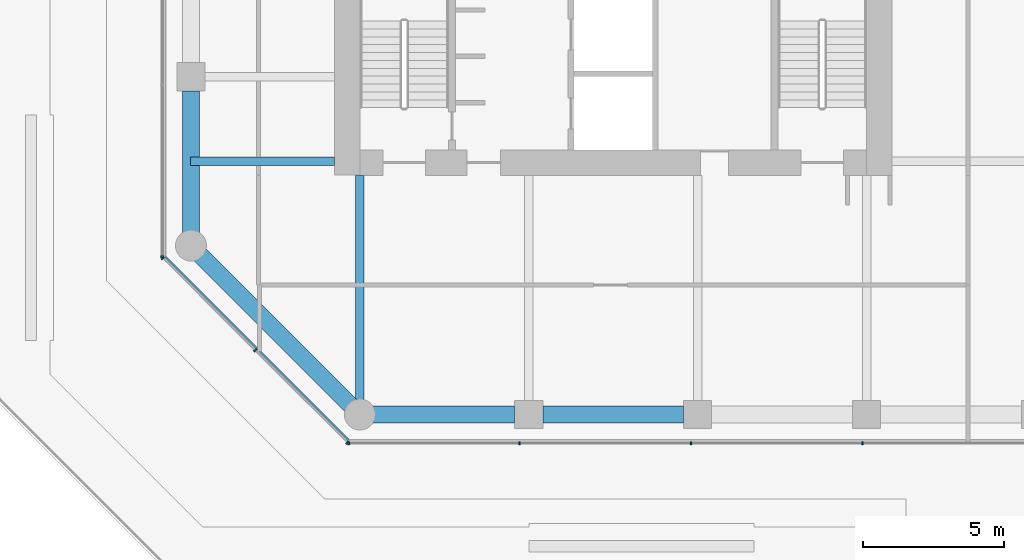
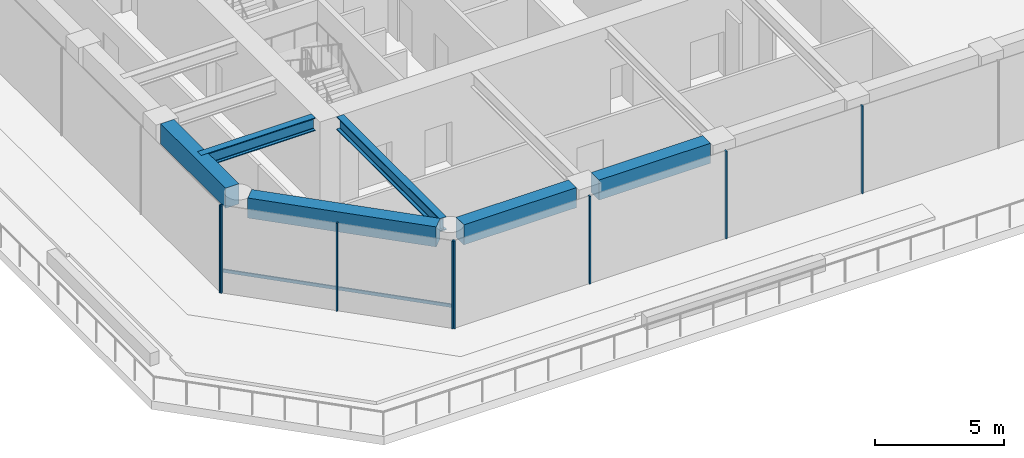
# One storey, part 2 of 31: 9 members, 6 beams, 3 elements without a shape of their own.
"""IFC4 building model written with IfcOpenShell, lengths in metres."""

import ifcopenshell
import ifcopenshell.guid

model = None  # the IFC model being written
_history = None  # IfcOwnerHistory: only IFC2X3 demands one
_inside = {}  # id of a spatial element -> (the spatial element, [elements in it])
_under = {}  # id of a project, library or spatial element -> (it, [spatial elements below it])
_declared = {}  # id of a project -> (the project, [libraries it declares])
_typed = {}  # id of a type object -> (the type object, [elements of that type])
_made_of = {}  # id of a material, layer set ... -> (it, [elements and type objects made of it])


def new_model(schema):
    """Start an empty IFC model of exactly this schema.

    Asked for "IFC4X3", IfcOpenShell would pick the latest addendum, in which some entities
    have other attributes; the version numbers below select the first issue.
    IFC2X3 requires an IfcOwnerHistory on every rooted entity: one is made here for all.
    """
    global model, _history
    if schema == "IFC4X3":
        model = ifcopenshell.file(schema_version=(4, 3, 0, 0))
    else:
        model = ifcopenshell.file(schema=schema)
    _inside.clear()
    _under.clear()
    _declared.clear()
    _typed.clear()
    _made_of.clear()
    _history = None
    if model.schema == "IFC2X3":
        org = make("IfcOrganization", Name="unknown")
        user = make(
            "IfcPersonAndOrganization",
            ThePerson=make("IfcPerson", FamilyName="unknown"),
            TheOrganization=org,
        )
        app = make(
            "IfcApplication",
            ApplicationDeveloper=org,
            Version="unknown",
            ApplicationFullName="unknown",
            ApplicationIdentifier="unknown",
        )
        _history = make(
            "IfcOwnerHistory",
            OwningUser=user,
            OwningApplication=app,
            ChangeAction="ADDED",
            CreationDate=0,
        )
    return model


def make(cls, **values):
    """One entity of the class cls with the attributes given. An attribute that is None is left unset."""
    return model.create_entity(
        cls, **{name: value for name, value in values.items() if value is not None}
    )


def rooted(cls, **values):
    """An entity with a GlobalId (a new one), such as an element, a storey or a relation."""
    return make(cls, GlobalId=ifcopenshell.guid.new(), OwnerHistory=_history, **values)


def si_unit(unit_type, name, prefix=None):
    """IfcSIUnit, for example si_unit("LENGTHUNIT", "METRE", prefix="MILLI")."""
    return make("IfcSIUnit", UnitType=unit_type, Prefix=prefix, Name=name)


def assignment(units):
    """IfcUnitAssignment: the units of a project."""
    return None if units is None else make("IfcUnitAssignment", Units=units)


def point(xyz):
    """IfcCartesianPoint."""
    return None if xyz is None else make("IfcCartesianPoint", Coordinates=xyz)


def direction(xyz):
    """IfcDirection."""
    return None if xyz is None else make("IfcDirection", DirectionRatios=xyz)


def frame(location, z_axis=None, x_axis=None):
    """IfcAxis2Placement3D, a coordinate frame: its origin and axes. An axis left out is left unset."""
    return make(
        "IfcAxis2Placement3D",
        Location=point(location),
        Axis=direction(z_axis),
        RefDirection=direction(x_axis),
    )


def frame_2d(location, x_axis=None):
    """IfcAxis2Placement2D, a coordinate frame in the plane: its origin and x axis."""
    return make(
        "IfcAxis2Placement2D", Location=point(location), RefDirection=direction(x_axis)
    )


def origin():
    """The frame at (0, 0, 0) with its axes left unset."""
    return frame((0.0, 0.0, 0.0))


def origin_2d():
    """The frame at (0, 0) in the plane with its x axis left unset."""
    return frame_2d((0.0, 0.0))


def place(relative_to, where):
    """IfcLocalPlacement: puts the frame where relative to a parent placement (None: the world)."""
    return make(
        "IfcLocalPlacement", PlacementRelTo=relative_to, RelativePlacement=where
    )


def context(
    kind, dimensions, precision=None, world=None, true_north=None, identifier=None
):
    """IfcGeometricRepresentationContext, for example the 3D "Model" context."""
    return make(
        "IfcGeometricRepresentationContext",
        ContextIdentifier=identifier,
        ContextType=kind,
        CoordinateSpaceDimension=dimensions,
        Precision=precision,
        WorldCoordinateSystem=world,
        TrueNorth=true_north,
    )


def subcontext(parent, identifier, kind, view, scale=None):
    """IfcGeometricRepresentationSubContext, for example "Body" below "Model"."""
    return make(
        "IfcGeometricRepresentationSubContext",
        ContextIdentifier=identifier,
        ContextType=kind,
        ParentContext=parent,
        TargetScale=scale,
        TargetView=view,
    )


def project(units=None, contexts=None):
    """IfcProject with its units and contexts."""
    return rooted(
        "IfcProject",
        Name="project",
        RepresentationContexts=contexts,
        UnitsInContext=assignment(units),
    )


def spatial(cls, under=None, at=None, **own):
    """A site, building, storey or space (cls), placed at a placement, below another one or the project."""
    s = rooted(cls, ObjectPlacement=at, **own)
    if under is not None:
        _under.setdefault(under.id(), (under, []))[1].append(s)
    return s


def profile(cls, at=None, kind="AREA", **sizes):
    """A parametric profile (cls). Its sizes go by their IFC names, for example OverallWidth=200.0."""
    return make(cls, ProfileType=kind, Position=at, **sizes)


def rectangle(**sizes):
    """IfcRectangleProfileDef."""
    return profile("IfcRectangleProfileDef", **sizes)


def i_section(**sizes):
    """IfcIShapeProfileDef."""
    return profile("IfcIShapeProfileDef", **sizes)


def extrude(swept, where, along, depth):
    """IfcExtrudedAreaSolid: the profile swept, set in the frame where, extruded along a direction by depth."""
    return make(
        "IfcExtrudedAreaSolid",
        SweptArea=swept,
        Position=where,
        ExtrudedDirection=direction(along),
        Depth=depth,
    )


def shape(context_of_items, identifier, shape_type, items):
    """IfcShapeRepresentation: the items that make up one representation, for example the "Body"."""
    return make(
        "IfcShapeRepresentation",
        ContextOfItems=context_of_items,
        RepresentationIdentifier=identifier,
        RepresentationType=shape_type,
        Items=items,
    )


def material(Name=None, Category=None):
    """IfcMaterial."""
    return make("IfcMaterial", Name=Name, Category=Category)


def layer(
    of_material, thickness, ventilated=None, Name=None, Category=None, Priority=None
):
    """IfcMaterialLayer: one layer of a wall or slab, of a material (None: an air gap)."""
    return make(
        "IfcMaterialLayer",
        Material=of_material,
        LayerThickness=thickness,
        IsVentilated=ventilated,
        Name=Name,
        Category=Category,
        Priority=Priority,
    )


def layer_set(layers, Name=None):
    """IfcMaterialLayerSet."""
    return make("IfcMaterialLayerSet", MaterialLayers=layers, LayerSetName=Name)


def material_profile(
    of_material, cross_section, Name=None, Category=None, Priority=None
):
    """IfcMaterialProfile: a cross section and its material."""
    return make(
        "IfcMaterialProfile",
        Name=Name,
        Material=of_material,
        Profile=cross_section,
        Priority=Priority,
        Category=Category,
    )


def profile_set(profiles, Name=None, composite=None):
    """IfcMaterialProfileSet."""
    return make(
        "IfcMaterialProfileSet",
        Name=Name,
        MaterialProfiles=profiles,
        CompositeProfile=composite,
    )


def made_of(thing, what):
    """Note that an element or type object is made of a material, layer set ...; save() writes the relation."""
    if what is not None:
        _made_of.setdefault(what.id(), (what, []))[1].append(thing)
    return thing


def type_object(cls, material=None, **own):
    """A type object (cls), such as IfcWallType, which elements share."""
    return made_of(rooted(cls, **own), material)


def element(
    cls,
    number,
    at=None,
    inside=None,
    cuts=None,
    type_object=None,
    material=None,
    context=None,
    identifier="Body",
    shape_type=None,
    held_by="IfcProductDefinitionShape",
    body=None,
    shapes=None,
    **own,
):
    """One element of the class cls, such as IfcWall. Its Tag is "e" and its number.

    at: its placement. inside: the storey or other place that contains it. cuts: it is an
    opening in that element (IfcRelVoidsElement). A single representation is given by context,
    identifier, shape_type and body (its items); several are given by shapes. held_by: the class
    of the entity that holds the representations. save() writes the other relations.
    """
    e = rooted(cls, Tag="e%d" % number, ObjectPlacement=at, **own)
    if body is not None:
        shapes = [shape(context, identifier, shape_type, body)]
    if shapes is not None:
        e.Representation = make(held_by, Representations=shapes)
    if inside is not None:
        _inside.setdefault(inside.id(), (inside, []))[1].append(e)
    if cuts is not None:
        rooted(
            "IfcRelVoidsElement", RelatingBuildingElement=cuts, RelatedOpeningElement=e
        )
    if type_object is not None:
        _typed.setdefault(type_object.id(), (type_object, []))[1].append(e)
    return made_of(e, material)


def aggregate(whole, parts):
    """IfcRelAggregates: a whole, such as a stair, and the parts it consists of."""
    return rooted("IfcRelAggregates", RelatingObject=whole, RelatedObjects=parts)


def save(model, path):
    """Write the relations noted so far, then the file.

    IfcRelAggregates (storeys below a building ...), IfcRelContainedInSpatialStructure (elements
    in a storey), IfcRelDefinesByType, IfcRelAssociatesMaterial and IfcRelDeclares: one each for
    every whole, place, type object, material and project.
    """
    for whole, parts in _under.values():
        aggregate(whole, parts)
    for where, things in _inside.values():
        rooted(
            "IfcRelContainedInSpatialStructure",
            RelatedElements=things,
            RelatingStructure=where,
        )
    for kind, things in _typed.values():
        rooted("IfcRelDefinesByType", RelatedObjects=things, RelatingType=kind)
    for what, things in _made_of.values():
        rooted("IfcRelAssociatesMaterial", RelatedObjects=things, RelatingMaterial=what)
    for by, libraries in _declared.values():
        rooted("IfcRelDeclares", RelatingContext=by, RelatedDefinitions=libraries)
    model.write(path)


model = new_model("IFC4")

# Units and contexts
model_context = context("Model", 3, precision=1e-05, world=origin(), true_north=direction((0.0, 1.0)))
body_context = subcontext(model_context, "Body", "Model", "MODEL_VIEW")
ifc_project = project(units=[si_unit("LENGTHUNIT", "METRE"), si_unit("AREAUNIT", "SQUARE_METRE"), si_unit("VOLUMEUNIT", "CUBIC_METRE"), si_unit("PLANEANGLEUNIT", "RADIAN"), si_unit("MASSUNIT", "GRAM", prefix="KILO")], contexts=[model_context])

# Site, building, storey
site_placement = place(None, origin())
site = spatial("IfcSite", under=ifc_project, at=site_placement, CompositionType="ELEMENT")
building_placement = place(site_placement, origin())
building = spatial("IfcBuilding", under=site, at=building_placement, Name="Welwitschia Terrace Campus", CompositionType="ELEMENT")
storey_placement = place(building_placement, frame((0.0, 0.0, 11.0)))
storey = spatial("IfcBuildingStorey", under=building, at=storey_placement, Name="L02", CompositionType="ELEMENT", Elevation=11.0)

# Beams
ifc_material_1 = material(Name="Steel S355", Category="steel")
ifc_material_profile_1 = material_profile(ifc_material_1, i_section(OverallWidth=0.304931640625, OverallDepth=0.6201171875, WebThickness=0.02099609375, FlangeThickness=0.0400390625, FilletRadius=0.027099609375, at=origin_2d()))
ifc_profile_set_1 = profile_set([ifc_material_profile_1], Name="Steel S355")
beam_type_1 = type_object("IfcBeamType", Name="Interior girder HE 600 M", PredefinedType="BEAM", material=ifc_profile_set_1)
beam_1_placement = place(storey_placement, frame((-0.010009765625, 5.0, 3.840087890625), z_axis=(1.0, 0.0, 0.0), x_axis=(0.0, 1.0, 0.0)))
element("IfcBeam", 1, at=beam_1_placement, inside=storey, type_object=beam_type_1, Name="Girder GB1", PredefinedType="BEAM", context=body_context, shape_type="SweptSolid", body=[
    extrude(i_section(OverallWidth=0.304931640625, OverallDepth=0.6201171875, WebThickness=0.02099609375, FlangeThickness=0.0400390625, FilletRadius=0.027099609375, at=origin_2d()), origin(), (0.0, 0.0, 1.0), 5.109130859375),
])
beam_2_placement = place(storey_placement, frame((6.0, -3.48095703125, 3.840087890625), z_axis=(0.0, 1.0, 0.0), x_axis=(-1.0, 0.0, 0.0)))
element("IfcBeam", 2, at=beam_2_placement, inside=storey, type_object=beam_type_1, Name="Girder GB1", PredefinedType="BEAM", context=body_context, shape_type="SweptSolid", body=[
    extrude(i_section(OverallWidth=0.304931640625, OverallDepth=0.6201171875, WebThickness=0.02099609375, FlangeThickness=0.0400390625, FilletRadius=0.027099609375, at=origin_2d()), origin(), (0.0, 0.0, 1.0), 7.97998046875),
])

# Curtain wall, members
ifc_material_2 = material(Name="Bronze anodised aluminium", Category="aluminium")
ifc_layer = layer(ifc_material_2, 0.1201171875)
ifc_layer_set = layer_set([ifc_layer], Name="Bronze anodised aluminium")
curtain_wall_type = type_object("IfcCurtainWallType", Name="Curtain wall CW2 tower 6000", PredefinedType="NOTDEFINED", material=ifc_layer_set)
curtain_wall_1_placement = place(storey_placement, origin())
curtain_wall_1 = element("IfcCurtainWall", 3, at=curtain_wall_1_placement, inside=storey, type_object=curtain_wall_type, Name="CW L02.0.0", PredefinedType="NOTDEFINED")
ifc_material_3 = material(Name="Bronze anodised aluminium", Category="aluminium")
ifc_material_profile_2 = material_profile(ifc_material_3, rectangle(XDim=0.1201171875, YDim=0.06005859375, at=origin_2d()))
ifc_profile_set_2 = profile_set([ifc_material_profile_2], Name="Bronze anodised aluminium")
member_type_1 = type_object("IfcMemberType", Name="Mullion 60x120", PredefinedType="MULLION", material=ifc_profile_set_2)
member_1_placement = place(storey_placement, frame((-0.998779296875, 1.556396484375, 0.0), z_axis=(0.0, 0.0, 1.0), x_axis=(0.707106781187, 0.707106781187, 0.0)))
member_1 = element("IfcMember", 4, at=member_1_placement, type_object=member_type_1, Name="Mullion L02.0.0.0", PredefinedType="MULLION", context=body_context, shape_type="SweptSolid", body=[
    extrude(rectangle(XDim=0.1201171875, YDim=0.06005859375, at=origin_2d()), origin(), (0.0, 0.0, 1.0), 4.14990234375),
])
member_2_placement = place(storey_placement, frame((2.27880859375, -1.72119140625, 0.0), z_axis=(0.0, 0.0, 1.0), x_axis=(0.707106781187, 0.707106781187, 0.0)))
member_2 = element("IfcMember", 5, at=member_2_placement, type_object=member_type_1, Name="Mullion L02.0.0.1", PredefinedType="MULLION", context=body_context, shape_type="SweptSolid", body=[
    extrude(rectangle(XDim=0.1201171875, YDim=0.06005859375, at=origin_2d()), origin(), (0.0, 0.0, 1.0), 4.14990234375),
])
member_3_placement = place(storey_placement, frame((5.556396484375, -4.998779296875, 0.0), z_axis=(0.0, 0.0, 1.0), x_axis=(0.707106781187, 0.707106781187, 0.0)))
member_3 = element("IfcMember", 6, at=member_3_placement, type_object=member_type_1, Name="Mullion L02.0.0.2", PredefinedType="MULLION", context=body_context, shape_type="SweptSolid", body=[
    extrude(rectangle(XDim=0.1201171875, YDim=0.06005859375, at=origin_2d()), origin(), (0.0, 0.0, 1.0), 4.14990234375),
])

curtain_wall_2_placement = place(storey_placement, origin())
curtain_wall_2 = element("IfcCurtainWall", 7, at=curtain_wall_2_placement, inside=storey, type_object=curtain_wall_type, Name="CW L02.1.0", PredefinedType="NOTDEFINED")
member_4_placement = place(storey_placement, frame((5.607421875, -5.02001953125, 0.0), z_axis=(0.0, 0.0, 1.0), x_axis=(0.0, 1.0, 0.0)))
member_4 = element("IfcMember", 8, at=member_4_placement, type_object=member_type_1, Name="Mullion L02.1.0.0", PredefinedType="MULLION", context=body_context, shape_type="SweptSolid", body=[
    extrude(rectangle(XDim=0.1201171875, YDim=0.06005859375, at=origin_2d()), origin(), (0.0, 0.0, 1.0), 4.14990234375),
])
member_5_placement = place(storey_placement, frame((11.67138671875, -5.02001953125, 0.0), z_axis=(0.0, 0.0, 1.0), x_axis=(0.0, 1.0, 0.0)))
member_5 = element("IfcMember", 9, at=member_5_placement, type_object=member_type_1, Name="Mullion L02.1.0.1", PredefinedType="MULLION", context=body_context, shape_type="SweptSolid", body=[
    extrude(rectangle(XDim=0.1201171875, YDim=0.06005859375, at=origin_2d()), origin(), (0.0, 0.0, 1.0), 4.14990234375),
])
member_6_placement = place(storey_placement, frame((17.765380859375, -5.02001953125, 0.0), z_axis=(0.0, 0.0, 1.0), x_axis=(0.0, 1.0, 0.0)))
member_6 = element("IfcMember", 10, at=member_6_placement, type_object=member_type_1, Name="Mullion L02.1.0.2", PredefinedType="MULLION", context=body_context, shape_type="SweptSolid", body=[
    extrude(rectangle(XDim=0.1201171875, YDim=0.06005859375, at=origin_2d()), origin(), (0.0, 0.0, 1.0), 4.14990234375),
])
member_7_placement = place(storey_placement, frame((23.859130859375, -5.02001953125, 0.0), z_axis=(0.0, 0.0, 1.0), x_axis=(0.0, 1.0, 0.0)))
member_7 = element("IfcMember", 11, at=member_7_placement, type_object=member_type_1, Name="Mullion L02.1.0.3", PredefinedType="MULLION", context=body_context, shape_type="SweptSolid", body=[
    extrude(rectangle(XDim=0.1201171875, YDim=0.06005859375, at=origin_2d()), origin(), (0.0, 0.0, 1.0), 4.14990234375),
])
aggregate(curtain_wall_2, [member_4, member_5, member_6, member_7])

# Curtain wall, member
curtain_wall_3_placement = place(storey_placement, origin())
curtain_wall_3 = element("IfcCurtainWall", 12, at=curtain_wall_3_placement, inside=storey, type_object=curtain_wall_type, Name="CW L02.9.6", PredefinedType="NOTDEFINED")
member_8_placement = place(storey_placement, frame((-1.02001953125, 1.607421875, 0.0), z_axis=(0.0, 0.0, 1.0), x_axis=(1.0, 0.0, 0.0)))
member_8 = element("IfcMember", 13, at=member_8_placement, type_object=member_type_1, Name="Mullion L02.9.6.4", PredefinedType="MULLION", context=body_context, shape_type="SweptSolid", body=[
    extrude(rectangle(XDim=0.1201171875, YDim=0.06005859375, at=origin_2d()), origin(), (0.0, 0.0, 1.0), 4.14990234375),
])
aggregate(curtain_wall_3, [member_8])

# Beams
ifc_material_4 = material(Name="Concrete C60/75", Category="concrete")
ifc_material_profile_3 = material_profile(ifc_material_4, rectangle(XDim=0.60009765625, YDim=0.949951171875, at=origin_2d()))
ifc_profile_set_3 = profile_set([ifc_material_profile_3], Name="Concrete C60/75")
beam_type_2 = type_object("IfcBeamType", Name="Ring spandrel 600x950", PredefinedType="SPANDREL", material=ifc_profile_set_3)
beam_3_placement = place(storey_placement, frame((0.326416015625, 1.673583984375, 3.675048828125), z_axis=(0.707106781187, -0.707106781187, 0.0), x_axis=(0.707106781187, 0.707106781187, 0.0)))
element("IfcBeam", 14, at=beam_3_placement, inside=storey, type_object=beam_type_2, Name="Spandrel SP1", PredefinedType="SPANDREL", context=body_context, shape_type="SweptSolid", body=[
    extrude(rectangle(XDim=0.60009765625, YDim=0.949951171875, at=origin_2d()), origin(), (0.0, 0.0, 1.0), 7.56201171875),
])
beam_4_placement = place(storey_placement, frame((6.46142578125, -4.0, 3.675048828125), z_axis=(1.0, 0.0, 0.0), x_axis=(0.0, 1.0, 0.0)))
element("IfcBeam", 15, at=beam_4_placement, inside=storey, type_object=beam_type_2, Name="Spandrel SP1", PredefinedType="SPANDREL", context=body_context, shape_type="SweptSolid", body=[
    extrude(rectangle(XDim=0.60009765625, YDim=0.949951171875, at=origin_2d()), origin(), (0.0, 0.0, 1.0), 5.0380859375),
])
beam_5_placement = place(storey_placement, frame((12.50048828125, -4.0, 3.675048828125), z_axis=(1.0, 0.0, 0.0), x_axis=(0.0, 1.0, 0.0)))
element("IfcBeam", 16, at=beam_5_placement, inside=storey, type_object=beam_type_2, Name="Spandrel SP1", PredefinedType="SPANDREL", context=body_context, shape_type="SweptSolid", body=[
    extrude(rectangle(XDim=0.60009765625, YDim=0.949951171875, at=origin_2d()), origin(), (0.0, 0.0, 1.0), 4.9990234375),
])
beam_6_placement = place(storey_placement, frame((0.0, 7.49951171875, 3.675048828125), z_axis=(0.0, -1.0, 0.0), x_axis=(1.0, 0.0, 0.0)))
element("IfcBeam", 17, at=beam_6_placement, inside=storey, type_object=beam_type_2, Name="Spandrel SP1", PredefinedType="SPANDREL", context=body_context, shape_type="SweptSolid", body=[
    extrude(rectangle(XDim=0.60009765625, YDim=0.949951171875, at=origin_2d()), origin(), (0.0, 0.0, 1.0), 5.0380859375),
])

# Member
ifc_material_5 = material(Name="Bronze anodised aluminium", Category="aluminium")
ifc_material_profile_4 = material_profile(ifc_material_5, rectangle(XDim=0.06005859375, YDim=0.14990234375, at=origin_2d()))
ifc_profile_set_4 = profile_set([ifc_material_profile_4], Name="Bronze anodised aluminium")
member_type_2 = type_object("IfcMemberType", Name="Transom 60x150", PredefinedType="USERDEFINED", material=ifc_profile_set_4)
member_9_placement = place(storey_placement, frame((-0.913818359375, 1.5986328125, 1.0), z_axis=(0.707106781187, -0.707106781187, 0.0), x_axis=(0.707106781187, 0.707106781187, 0.0)))
member_9 = element("IfcMember", 18, at=member_9_placement, type_object=member_type_2, Name="Transom L02.0.0", ObjectType="TRANSOM", PredefinedType="USERDEFINED", context=body_context, shape_type="SweptSolid", body=[
    extrude(rectangle(XDim=0.06005859375, YDim=0.14990234375, at=origin_2d()), origin(), (0.0, 0.0, 1.0), 9.2099609375),
])

aggregate(curtain_wall_1, [member_1, member_2, member_3, member_9])

save(model, "model.ifc")
